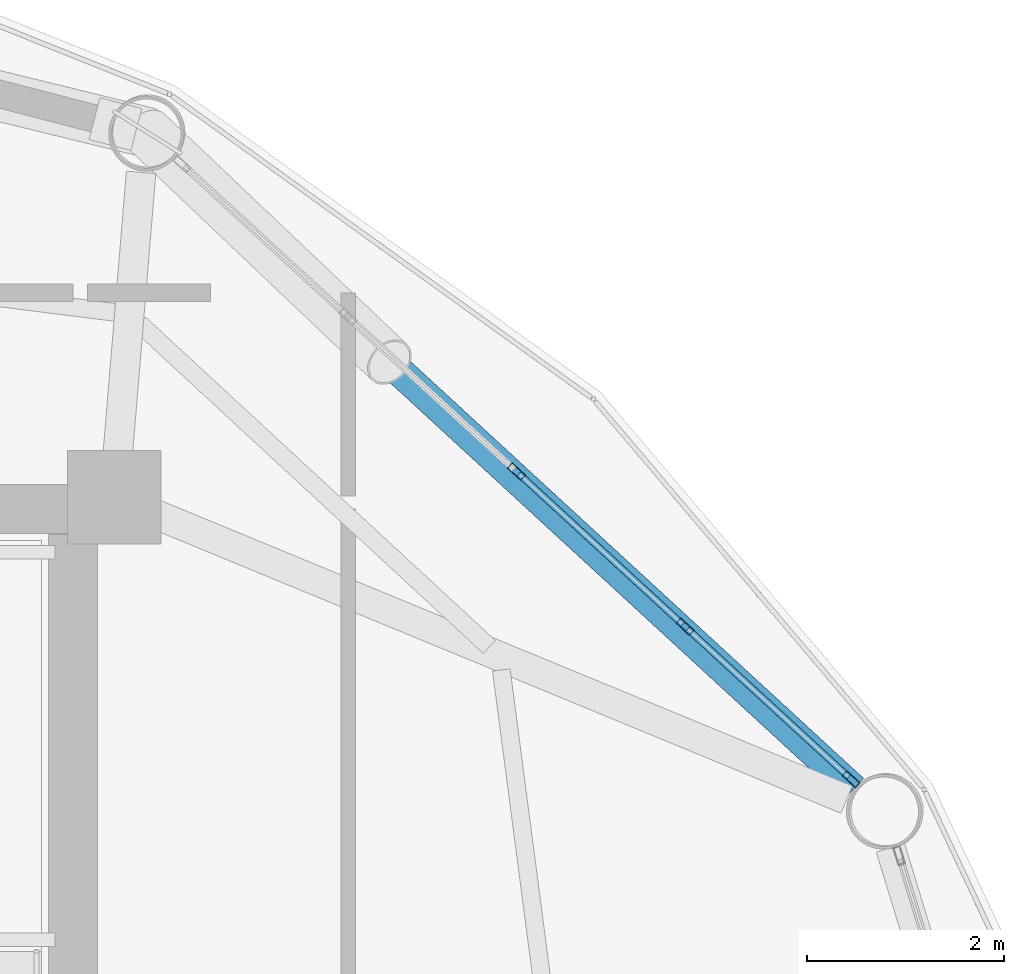
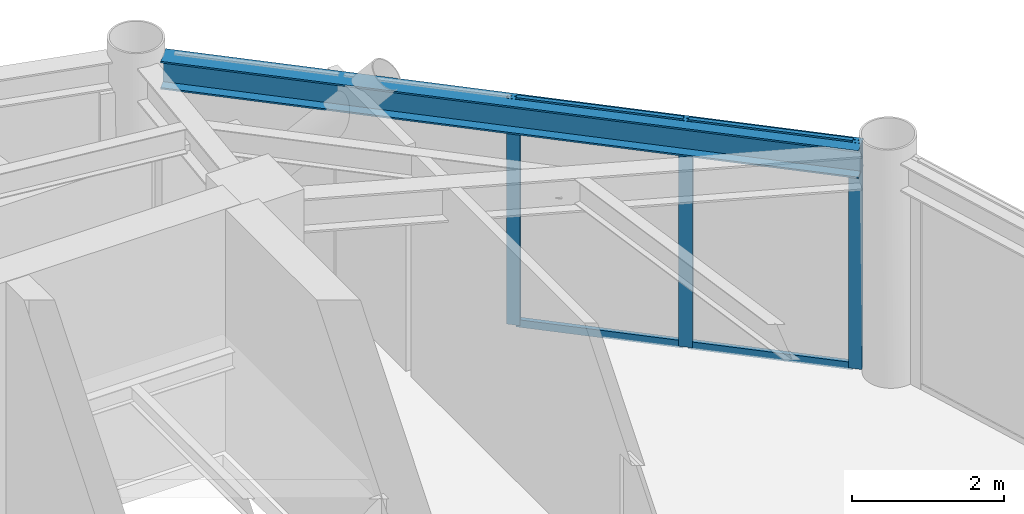
# One storey, part 17 of 25: 7 members, 1 beam, 1 element without a shape of its own.
"""IFC4 building model written with IfcOpenShell, lengths in metres."""

from ifc_helpers import new_model, si_unit, direction, frame, origin, origin_2d, place, context, subcontext, project, spatial, hollow_rectangle, i_section, extrude, material, layer, layer_set, material_profile, profile_set, type_object, element, aggregate, save


model = new_model("IFC4")

# Units and contexts
model_context = context("Model", 3, precision=1e-05, world=origin(), true_north=direction((0.0, 1.0)))
body_context = subcontext(model_context, "Body", "Model", "MODEL_VIEW")
ifc_project = project(units=[si_unit("LENGTHUNIT", "METRE"), si_unit("AREAUNIT", "SQUARE_METRE"), si_unit("VOLUMEUNIT", "CUBIC_METRE"), si_unit("PLANEANGLEUNIT", "RADIAN"), si_unit("MASSUNIT", "GRAM", prefix="KILO")], contexts=[model_context])

# Site, building, storey
site_placement = place(None, origin())
site = spatial("IfcSite", under=ifc_project, at=site_placement, CompositionType="ELEMENT")
building_placement = place(site_placement, origin())
building = spatial("IfcBuilding", under=site, at=building_placement, Name="Varnakorn Sky Granary", CompositionType="ELEMENT")
storey_placement = place(building_placement, frame((0.0, 0.0, 157.800048828125)))
storey = spatial("IfcBuildingStorey", under=building, at=storey_placement, Name="L39", CompositionType="ELEMENT", Elevation=157.800048828125)

# Beam
ifc_material_1 = material(Name="Steel S355JR", Category="steel")
ifc_material_profile_1 = material_profile(ifc_material_1, i_section(OverallWidth=0.300048828125, OverallDepth=0.449951171875, WebThickness=0.013916015625, FlangeThickness=0.02587890625, at=origin_2d()), Name="HE 450 B")
ifc_profile_set_1 = profile_set([ifc_material_profile_1], Name="Steel S355JR")
beam_type = type_object("IfcBeamType", Name="BM-SPD-Z3", PredefinedType="SPANDREL", material=ifc_profile_set_1)
beam_placement = place(storey_placement, frame((15.939208984375, 9.65283203125, 3.4150390625), z_axis=(-0.73598256896, 0.677000486105, 0.0), x_axis=(-0.677000486105, -0.73598256896, 0.0)))
element("IfcBeam", 1, at=beam_placement, inside=storey, type_object=beam_type, Name="Perimeter Spandrel Ring Beam RB02 L39", PredefinedType="SPANDREL", context=body_context, shape_type="SweptSolid", body=[
    extrude(i_section(OverallWidth=0.300048828125, OverallDepth=0.449951171875, WebThickness=0.013916015625, FlangeThickness=0.02587890625, at=origin_2d()), origin(), (0.0, 0.0, 1.0), 9.4375),
])

# Curtain wall, members
ifc_material_2 = material(Name="Anodised Bronze Aluminium Alloy 6063-T6", Category="aluminium")
ifc_layer = layer(ifc_material_2, 0.179931640625, Name="Anodised Bronze Aluminium Alloy 6063-T6")
ifc_layer_set = layer_set([ifc_layer], Name="Anodised Bronze Aluminium Alloy 6063-T6")
curtain_wall_type = type_object("IfcCurtainWallType", Name="CW-FRM-2", PredefinedType="USERDEFINED", material=ifc_layer_set)
curtain_wall_placement = place(storey_placement, origin())
curtain_wall = element("IfcCurtainWall", 2, at=curtain_wall_placement, inside=storey, type_object=curtain_wall_type, Name="Unitised Curtain Wall CW4 CW-L39-B02", ObjectType="CURTAIN WALL", PredefinedType="USERDEFINED")
ifc_material_profile_2 = material_profile(ifc_material_2, hollow_rectangle(XDim=0.070068359375, YDim=0.18505859375, WallThickness=0.00390625, at=origin_2d()), Name="ALU MULL 70x185")
ifc_profile_set_2 = profile_set([ifc_material_profile_2], Name="Anodised Bronze Aluminium Alloy 6063-T6")
member_type_1 = type_object("IfcMemberType", Name="CW-FRM-2-MULL", PredefinedType="MULLION", material=ifc_profile_set_2)
member_1_placement = place(storey_placement, frame((12.511962890625, 12.88037109375, 0.0), z_axis=(0.0, 0.0, 1.0), x_axis=(0.676758169844, 0.73620539223, 0.0)))
member_1 = element("IfcMember", 3, at=member_1_placement, type_object=member_type_1, Name="CW4 mullion 3", PredefinedType="MULLION", context=body_context, shape_type="SweptSolid", body=[
    extrude(hollow_rectangle(XDim=0.070068359375, YDim=0.18505859375, WallThickness=0.00390625, at=origin_2d()), origin(), (0.0, 0.0, 1.0), 3.639892578125),
])
member_2_placement = place(storey_placement, frame((14.226806640625, 11.3037109375, 0.0), z_axis=(0.0, 0.0, 1.0), x_axis=(0.676758169844, 0.73620539223, 0.0)))
member_2 = element("IfcMember", 4, at=member_2_placement, type_object=member_type_1, Name="CW4 mullion 4", PredefinedType="MULLION", context=body_context, shape_type="SweptSolid", body=[
    extrude(hollow_rectangle(XDim=0.070068359375, YDim=0.18505859375, WallThickness=0.00390625, at=origin_2d()), origin(), (0.0, 0.0, 1.0), 3.639892578125),
])
member_3_placement = place(storey_placement, frame((15.916015625, 9.7509765625, 0.0), z_axis=(0.0, 0.0, 1.0), x_axis=(0.676758169844, 0.73620539223, 0.0)))
member_3 = element("IfcMember", 5, at=member_3_placement, type_object=member_type_1, Name="CW4 mullion 5", PredefinedType="MULLION", context=body_context, shape_type="SweptSolid", body=[
    extrude(hollow_rectangle(XDim=0.070068359375, YDim=0.18505859375, WallThickness=0.00390625, at=origin_2d()), origin(), (0.0, 0.0, 1.0), 3.639892578125),
])
ifc_material_profile_3 = material_profile(ifc_material_2, hollow_rectangle(XDim=0.06494140625, YDim=0.1201171875, WallThickness=0.00341796875, at=origin_2d()), Name="ALU TRAN 65x120")
ifc_profile_set_3 = profile_set([ifc_material_profile_3], Name="Anodised Bronze Aluminium Alloy 6063-T6")
member_type_2 = type_object("IfcMemberType", Name="CW-FRM-2-TRAN", PredefinedType="USERDEFINED", material=ifc_profile_set_3)
member_4_placement = place(storey_placement, frame((12.537841796875, 12.8564453125, 0.032470703125), z_axis=(0.736198009052, -0.676766201481, 0.0), x_axis=(0.676766201481, 0.736198009052, 0.0)))
member_4 = element("IfcMember", 6, at=member_4_placement, type_object=member_type_2, Name="CW4 transom 3.1", ObjectType="TRANSOM", PredefinedType="USERDEFINED", context=body_context, shape_type="SweptSolid", body=[
    extrude(hollow_rectangle(XDim=0.06494140625, YDim=0.1201171875, WallThickness=0.00341796875, at=origin_2d()), origin(), (0.0, 0.0, 1.0), 2.25927734375),
])
member_5_placement = place(storey_placement, frame((12.537841796875, 12.8564453125, 3.607421875), z_axis=(0.736198009052, -0.676766201481, 0.0), x_axis=(0.676766201481, 0.736198009052, 0.0)))
member_5 = element("IfcMember", 7, at=member_5_placement, type_object=member_type_2, Name="CW4 transom 3.2", ObjectType="TRANSOM", PredefinedType="USERDEFINED", context=body_context, shape_type="SweptSolid", body=[
    extrude(hollow_rectangle(XDim=0.06494140625, YDim=0.1201171875, WallThickness=0.00341796875, at=origin_2d()), origin(), (0.0, 0.0, 1.0), 2.25927734375),
])
member_6_placement = place(storey_placement, frame((14.252685546875, 11.280029296875, 0.032470703125), z_axis=(0.736224061665, -0.676737859903, 0.0), x_axis=(0.676737859903, 0.736224061665, 0.0)))
member_6 = element("IfcMember", 8, at=member_6_placement, type_object=member_type_2, Name="CW4 transom 4.1", ObjectType="TRANSOM", PredefinedType="USERDEFINED", context=body_context, shape_type="SweptSolid", body=[
    extrude(hollow_rectangle(XDim=0.06494140625, YDim=0.1201171875, WallThickness=0.00341796875, at=origin_2d()), origin(), (0.0, 0.0, 1.0), 2.224365234375),
])
member_7_placement = place(storey_placement, frame((14.252685546875, 11.280029296875, 3.607421875), z_axis=(0.736224061665, -0.676737859903, 0.0), x_axis=(0.676737859903, 0.736224061665, 0.0)))
member_7 = element("IfcMember", 9, at=member_7_placement, type_object=member_type_2, Name="CW4 transom 4.2", ObjectType="TRANSOM", PredefinedType="USERDEFINED", context=body_context, shape_type="SweptSolid", body=[
    extrude(hollow_rectangle(XDim=0.06494140625, YDim=0.1201171875, WallThickness=0.00341796875, at=origin_2d()), origin(), (0.0, 0.0, 1.0), 2.224365234375),
])
aggregate(curtain_wall, [member_1, member_2, member_3, member_4, member_5, member_6, member_7])

save(model, "model.ifc")
